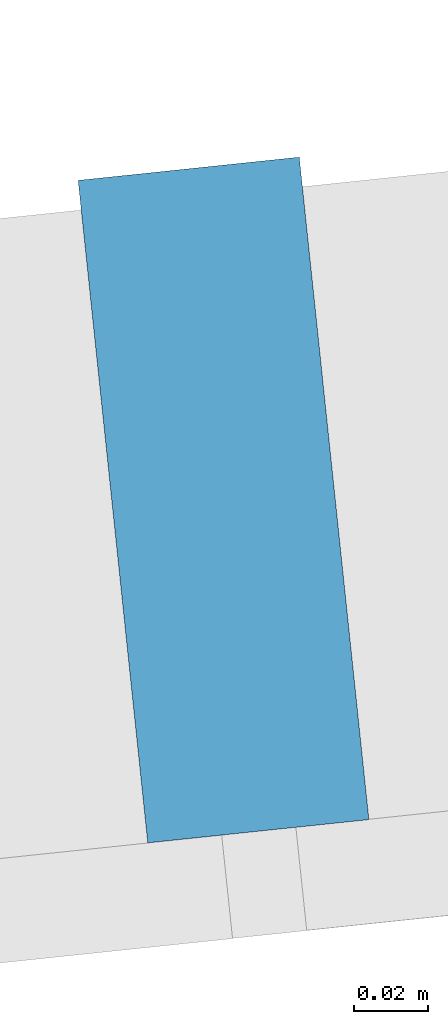
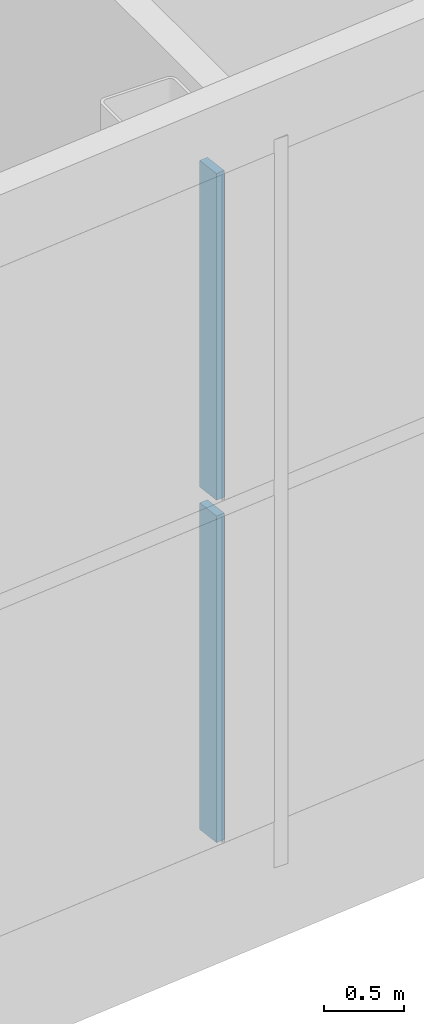
# One storey, part 5 of 35: 2 members, 1 element without a shape of its own.
"""IFC4 building model written with IfcOpenShell, lengths in metres."""

import ifcopenshell
import ifcopenshell.guid

model = None  # the IFC model being written
_history = None  # IfcOwnerHistory: only IFC2X3 demands one
_inside = {}  # id of a spatial element -> (the spatial element, [elements in it])
_under = {}  # id of a project, library or spatial element -> (it, [spatial elements below it])
_declared = {}  # id of a project -> (the project, [libraries it declares])
_typed = {}  # id of a type object -> (the type object, [elements of that type])
_made_of = {}  # id of a material, layer set ... -> (it, [elements and type objects made of it])


def new_model(schema):
    """Start an empty IFC model of exactly this schema.

    Asked for "IFC4X3", IfcOpenShell would pick the latest addendum, in which some entities
    have other attributes; the version numbers below select the first issue.
    IFC2X3 requires an IfcOwnerHistory on every rooted entity: one is made here for all.
    """
    global model, _history
    if schema == "IFC4X3":
        model = ifcopenshell.file(schema_version=(4, 3, 0, 0))
    else:
        model = ifcopenshell.file(schema=schema)
    _inside.clear()
    _under.clear()
    _declared.clear()
    _typed.clear()
    _made_of.clear()
    _history = None
    if model.schema == "IFC2X3":
        org = make("IfcOrganization", Name="unknown")
        user = make(
            "IfcPersonAndOrganization",
            ThePerson=make("IfcPerson", FamilyName="unknown"),
            TheOrganization=org,
        )
        app = make(
            "IfcApplication",
            ApplicationDeveloper=org,
            Version="unknown",
            ApplicationFullName="unknown",
            ApplicationIdentifier="unknown",
        )
        _history = make(
            "IfcOwnerHistory",
            OwningUser=user,
            OwningApplication=app,
            ChangeAction="ADDED",
            CreationDate=0,
        )
    return model


def make(cls, **values):
    """One entity of the class cls with the attributes given. An attribute that is None is left unset."""
    return model.create_entity(
        cls, **{name: value for name, value in values.items() if value is not None}
    )


def rooted(cls, **values):
    """An entity with a GlobalId (a new one), such as an element, a storey or a relation."""
    return make(cls, GlobalId=ifcopenshell.guid.new(), OwnerHistory=_history, **values)


def si_unit(unit_type, name, prefix=None):
    """IfcSIUnit, for example si_unit("LENGTHUNIT", "METRE", prefix="MILLI")."""
    return make("IfcSIUnit", UnitType=unit_type, Prefix=prefix, Name=name)


def assignment(units):
    """IfcUnitAssignment: the units of a project."""
    return None if units is None else make("IfcUnitAssignment", Units=units)


def point(xyz):
    """IfcCartesianPoint."""
    return None if xyz is None else make("IfcCartesianPoint", Coordinates=xyz)


def direction(xyz):
    """IfcDirection."""
    return None if xyz is None else make("IfcDirection", DirectionRatios=xyz)


def frame(location, z_axis=None, x_axis=None):
    """IfcAxis2Placement3D, a coordinate frame: its origin and axes. An axis left out is left unset."""
    return make(
        "IfcAxis2Placement3D",
        Location=point(location),
        Axis=direction(z_axis),
        RefDirection=direction(x_axis),
    )


def frame_2d(location, x_axis=None):
    """IfcAxis2Placement2D, a coordinate frame in the plane: its origin and x axis."""
    return make(
        "IfcAxis2Placement2D", Location=point(location), RefDirection=direction(x_axis)
    )


def origin():
    """The frame at (0, 0, 0) with its axes left unset."""
    return frame((0.0, 0.0, 0.0))


def origin_2d():
    """The frame at (0, 0) in the plane with its x axis left unset."""
    return frame_2d((0.0, 0.0))


def place(relative_to, where):
    """IfcLocalPlacement: puts the frame where relative to a parent placement (None: the world)."""
    return make(
        "IfcLocalPlacement", PlacementRelTo=relative_to, RelativePlacement=where
    )


def context(
    kind, dimensions, precision=None, world=None, true_north=None, identifier=None
):
    """IfcGeometricRepresentationContext, for example the 3D "Model" context."""
    return make(
        "IfcGeometricRepresentationContext",
        ContextIdentifier=identifier,
        ContextType=kind,
        CoordinateSpaceDimension=dimensions,
        Precision=precision,
        WorldCoordinateSystem=world,
        TrueNorth=true_north,
    )


def subcontext(parent, identifier, kind, view, scale=None):
    """IfcGeometricRepresentationSubContext, for example "Body" below "Model"."""
    return make(
        "IfcGeometricRepresentationSubContext",
        ContextIdentifier=identifier,
        ContextType=kind,
        ParentContext=parent,
        TargetScale=scale,
        TargetView=view,
    )


def project(units=None, contexts=None):
    """IfcProject with its units and contexts."""
    return rooted(
        "IfcProject",
        Name="project",
        RepresentationContexts=contexts,
        UnitsInContext=assignment(units),
    )


def spatial(cls, under=None, at=None, **own):
    """A site, building, storey or space (cls), placed at a placement, below another one or the project."""
    s = rooted(cls, ObjectPlacement=at, **own)
    if under is not None:
        _under.setdefault(under.id(), (under, []))[1].append(s)
    return s


def profile(cls, at=None, kind="AREA", **sizes):
    """A parametric profile (cls). Its sizes go by their IFC names, for example OverallWidth=200.0."""
    return make(cls, ProfileType=kind, Position=at, **sizes)


def rectangle(**sizes):
    """IfcRectangleProfileDef."""
    return profile("IfcRectangleProfileDef", **sizes)


def extrude(swept, where, along, depth):
    """IfcExtrudedAreaSolid: the profile swept, set in the frame where, extruded along a direction by depth."""
    return make(
        "IfcExtrudedAreaSolid",
        SweptArea=swept,
        Position=where,
        ExtrudedDirection=direction(along),
        Depth=depth,
    )


def shape(context_of_items, identifier, shape_type, items):
    """IfcShapeRepresentation: the items that make up one representation, for example the "Body"."""
    return make(
        "IfcShapeRepresentation",
        ContextOfItems=context_of_items,
        RepresentationIdentifier=identifier,
        RepresentationType=shape_type,
        Items=items,
    )


def material(Name=None, Category=None):
    """IfcMaterial."""
    return make("IfcMaterial", Name=Name, Category=Category)


def layer(
    of_material, thickness, ventilated=None, Name=None, Category=None, Priority=None
):
    """IfcMaterialLayer: one layer of a wall or slab, of a material (None: an air gap)."""
    return make(
        "IfcMaterialLayer",
        Material=of_material,
        LayerThickness=thickness,
        IsVentilated=ventilated,
        Name=Name,
        Category=Category,
        Priority=Priority,
    )


def layer_set(layers, Name=None):
    """IfcMaterialLayerSet."""
    return make("IfcMaterialLayerSet", MaterialLayers=layers, LayerSetName=Name)


def material_profile(
    of_material, cross_section, Name=None, Category=None, Priority=None
):
    """IfcMaterialProfile: a cross section and its material."""
    return make(
        "IfcMaterialProfile",
        Name=Name,
        Material=of_material,
        Profile=cross_section,
        Priority=Priority,
        Category=Category,
    )


def profile_set(profiles, Name=None, composite=None):
    """IfcMaterialProfileSet."""
    return make(
        "IfcMaterialProfileSet",
        Name=Name,
        MaterialProfiles=profiles,
        CompositeProfile=composite,
    )


def made_of(thing, what):
    """Note that an element or type object is made of a material, layer set ...; save() writes the relation."""
    if what is not None:
        _made_of.setdefault(what.id(), (what, []))[1].append(thing)
    return thing


def type_object(cls, material=None, **own):
    """A type object (cls), such as IfcWallType, which elements share."""
    return made_of(rooted(cls, **own), material)


def element(
    cls,
    number,
    at=None,
    inside=None,
    cuts=None,
    type_object=None,
    material=None,
    context=None,
    identifier="Body",
    shape_type=None,
    held_by="IfcProductDefinitionShape",
    body=None,
    shapes=None,
    **own,
):
    """One element of the class cls, such as IfcWall. Its Tag is "e" and its number.

    at: its placement. inside: the storey or other place that contains it. cuts: it is an
    opening in that element (IfcRelVoidsElement). A single representation is given by context,
    identifier, shape_type and body (its items); several are given by shapes. held_by: the class
    of the entity that holds the representations. save() writes the other relations.
    """
    e = rooted(cls, Tag="e%d" % number, ObjectPlacement=at, **own)
    if body is not None:
        shapes = [shape(context, identifier, shape_type, body)]
    if shapes is not None:
        e.Representation = make(held_by, Representations=shapes)
    if inside is not None:
        _inside.setdefault(inside.id(), (inside, []))[1].append(e)
    if cuts is not None:
        rooted(
            "IfcRelVoidsElement", RelatingBuildingElement=cuts, RelatedOpeningElement=e
        )
    if type_object is not None:
        _typed.setdefault(type_object.id(), (type_object, []))[1].append(e)
    return made_of(e, material)


def aggregate(whole, parts):
    """IfcRelAggregates: a whole, such as a stair, and the parts it consists of."""
    return rooted("IfcRelAggregates", RelatingObject=whole, RelatedObjects=parts)


def save(model, path):
    """Write the relations noted so far, then the file.

    IfcRelAggregates (storeys below a building ...), IfcRelContainedInSpatialStructure (elements
    in a storey), IfcRelDefinesByType, IfcRelAssociatesMaterial and IfcRelDeclares: one each for
    every whole, place, type object, material and project.
    """
    for whole, parts in _under.values():
        aggregate(whole, parts)
    for where, things in _inside.values():
        rooted(
            "IfcRelContainedInSpatialStructure",
            RelatedElements=things,
            RelatingStructure=where,
        )
    for kind, things in _typed.values():
        rooted("IfcRelDefinesByType", RelatedObjects=things, RelatingType=kind)
    for what, things in _made_of.values():
        rooted("IfcRelAssociatesMaterial", RelatedObjects=things, RelatingMaterial=what)
    for by, libraries in _declared.values():
        rooted("IfcRelDeclares", RelatingContext=by, RelatedDefinitions=libraries)
    model.write(path)


model = new_model("IFC4")

# Units and contexts
model_context = context("Model", 3, precision=1e-05, world=origin(), true_north=direction((0.0, 1.0)))
body_context = subcontext(model_context, "Body", "Model", "MODEL_VIEW")
ifc_project = project(units=[si_unit("LENGTHUNIT", "METRE"), si_unit("AREAUNIT", "SQUARE_METRE"), si_unit("VOLUMEUNIT", "CUBIC_METRE"), si_unit("PLANEANGLEUNIT", "RADIAN"), si_unit("MASSUNIT", "GRAM", prefix="KILO")], contexts=[model_context])

# Site, building, storey
site_placement = place(None, origin())
site = spatial("IfcSite", under=ifc_project, at=site_placement, CompositionType="ELEMENT")
building_placement = place(site_placement, origin())
building = spatial("IfcBuilding", under=site, at=building_placement, Name="Hakoniwa Tower and Hamabe Station Hall", CompositionType="ELEMENT")
storey_placement = place(building_placement, frame((0.0, 0.0, 270.60009765625)))
storey = spatial("IfcBuildingStorey", under=building, at=storey_placement, Name="L76", CompositionType="ELEMENT", Elevation=270.60009765625)

# Curtain wall, members
ifc_material_1 = material(Name="Dark low-e laminated glass", Category="glass")
ifc_layer = layer(ifc_material_1, 0.199951171875)
ifc_layer_set = layer_set([ifc_layer], Name="CW-1 UNITISED GUEST")
curtain_wall_type = type_object("IfcCurtainWallType", Name="CW-1 UNITISED GUEST", PredefinedType="NOTDEFINED", material=ifc_layer_set)
curtain_wall_placement = place(storey_placement, origin())
curtain_wall = element("IfcCurtainWall", 1, at=curtain_wall_placement, inside=storey, type_object=curtain_wall_type, Name="CW-1 curtain wall", PredefinedType="NOTDEFINED")
ifc_material_2 = material(Name="Aluminium 6063-T5 black anodised", Category="aluminium")
ifc_material_profile = material_profile(ifc_material_2, rectangle(XDim=0.06005859375, YDim=0.179931640625, at=origin_2d()), Name="CW-1 MULLION 60X180")
ifc_profile_set = profile_set([ifc_material_profile], Name="Aluminium 6063-T5 black anodised")
member_type = type_object("IfcMemberType", Name="CW-1 MULLION 60X180", PredefinedType="MULLION", material=ifc_profile_set)
member_1_placement = place(storey_placement, frame((1.7958984375, -14.587890625, 0.349853515625), z_axis=(0.0, 0.0, 1.0), x_axis=(0.994521895272, 0.104528464188, 0.0)))
member_1 = element("IfcMember", 2, at=member_1_placement, type_object=member_type, Name="CW-1 mullion", PredefinedType="MULLION", context=body_context, shape_type="SweptSolid", body=[
    extrude(rectangle(XDim=0.06005859375, YDim=0.179931640625, at=origin_2d()), origin(), (0.0, 0.0, 1.0), 2.489990234375),
])
member_2_placement = place(storey_placement, frame((1.7958984375, -14.587890625, 2.9599609375), z_axis=(0.0, 0.0, 1.0), x_axis=(0.994521895272, 0.104528464188, 0.0)))
member_2 = element("IfcMember", 3, at=member_2_placement, type_object=member_type, Name="CW-1 mullion", PredefinedType="MULLION", context=body_context, shape_type="SweptSolid", body=[
    extrude(rectangle(XDim=0.06005859375, YDim=0.179931640625, at=origin_2d()), origin(), (0.0, 0.0, 1.0), 2.489990234375),
])
aggregate(curtain_wall, [member_1, member_2])

save(model, "model.ifc")
